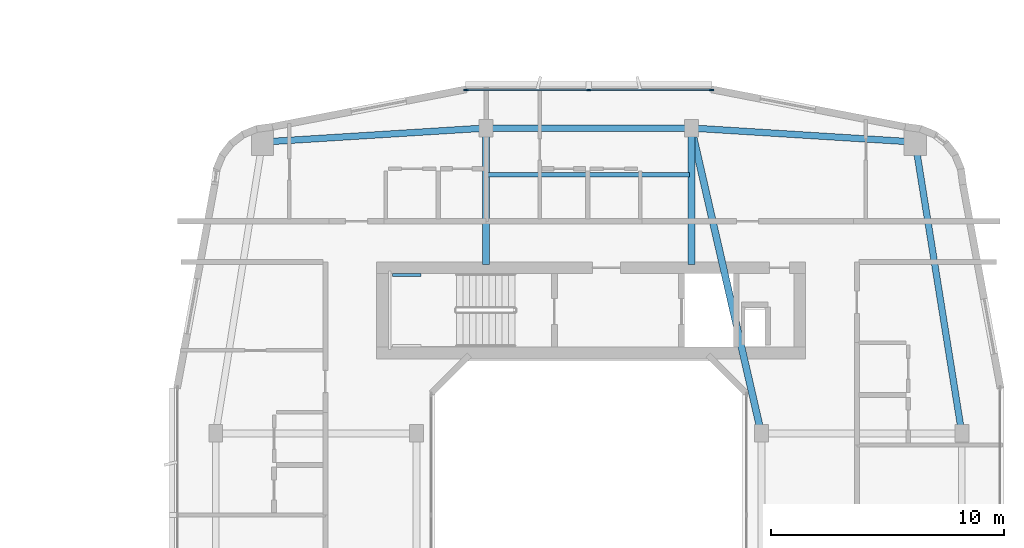
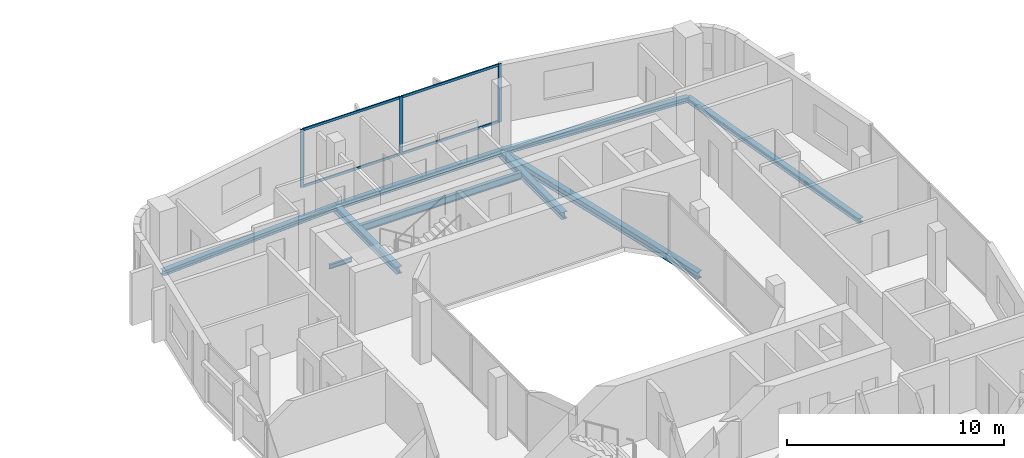
# One storey, part 10 of 25: 9 beams, 7 members, 1 element without a shape of its own.
"""IFC4 building model written with IfcOpenShell, lengths in metres."""

from ifc_helpers import new_model, si_unit, derived_unit, direction, frame, origin, origin_2d, place, context, subcontext, project, spatial, rectangle, i_section, extrude, material, layer, layer_set, material_profile, profile_set, type_object, element, aggregate, save


model = new_model("IFC4")

# Units and contexts
model_context = context("Model", 3, precision=1e-05, world=origin(), true_north=direction((0.0, 1.0)))
body_context = subcontext(model_context, "Body", "Model", "MODEL_VIEW")
ifc_project = project(units=[si_unit("LENGTHUNIT", "METRE"), si_unit("AREAUNIT", "SQUARE_METRE"), si_unit("VOLUMEUNIT", "CUBIC_METRE"), si_unit("PLANEANGLEUNIT", "RADIAN"), si_unit("MASSUNIT", "GRAM", prefix="KILO"), derived_unit("THERMALTRANSMITTANCEUNIT", [(si_unit("POWERUNIT", "WATT"), 1), (si_unit("LENGTHUNIT", "METRE"), -2), (si_unit("THERMODYNAMICTEMPERATUREUNIT", "KELVIN"), -1)])], contexts=[model_context])

# Site, building, storey
site_placement = place(None, origin())
site = spatial("IfcSite", under=ifc_project, at=site_placement, CompositionType="ELEMENT")
building_placement = place(site_placement, origin())
building = spatial("IfcBuilding", under=site, at=building_placement, Name="Kivonza Crest Hotel", CompositionType="ELEMENT")
storey_placement = place(building_placement, frame((0.0, 0.0, 83.5)))
storey = spatial("IfcBuildingStorey", under=building, at=storey_placement, Name="L22", CompositionType="ELEMENT", Elevation=83.5)

# Beams
ifc_material_1 = material(Name="Steel S355", Category="steel")
ifc_material_profile_1 = material_profile(ifc_material_1, i_section(OverallWidth=0.280029296875, OverallDepth=0.280029296875, WebThickness=0.010498046875, FlangeThickness=0.01806640625, FilletRadius=0.02392578125, at=origin_2d()), Name="HEB 280")
ifc_profile_set_1 = profile_set([ifc_material_profile_1], Name="Steel S355")
beam_type_1 = type_object("IfcBeamType", Name="BM-HEB280", PredefinedType="SPANDREL", material=ifc_profile_set_1)
beam_1_placement = place(storey_placement, frame((93.0, 28.5, -0.389892578125), z_axis=(-0.157990501107, 0.987440631917, 0.0), x_axis=(-0.987440631917, -0.157990501107, 0.0)))
element("IfcBeam", 1, at=beam_1_placement, inside=storey, type_object=beam_type_1, Name="Companion Tower T2 L22 perimeter spandrel E2-NE", PredefinedType="SPANDREL", context=body_context, shape_type="SweptSolid", body=[
    extrude(i_section(OverallWidth=0.280029296875, OverallDepth=0.280029296875, WebThickness=0.010498046875, FlangeThickness=0.01806640625, FilletRadius=0.02392578125, at=origin_2d()), origin(), (0.0, 0.0, 1.0), 12.658935546875),
])
beam_2_placement = place(storey_placement, frame((91.0, 41.0, -0.389892578125), z_axis=(-0.998051985873, 0.062387767186, 0.0), x_axis=(-0.062387767186, -0.998051985873, 0.0)))
element("IfcBeam", 2, at=beam_2_placement, inside=storey, type_object=beam_type_1, Name="Companion Tower T2 L22 perimeter spandrel NE-N2", PredefinedType="SPANDREL", context=body_context, shape_type="SweptSolid", body=[
    extrude(i_section(OverallWidth=0.280029296875, OverallDepth=0.280029296875, WebThickness=0.010498046875, FlangeThickness=0.01806640625, FilletRadius=0.02392578125, at=origin_2d()), origin(), (0.0, 0.0, 1.0), 9.618896484375),
])
beam_3_placement = place(storey_placement, frame((81.39990234375, 41.60009765625, -0.389892578125), z_axis=(-1.0, 0.0, 0.0), x_axis=(0.0, -1.0, 0.0)))
element("IfcBeam", 3, at=beam_3_placement, inside=storey, type_object=beam_type_1, Name="Companion Tower T2 L22 perimeter spandrel N2-N1", PredefinedType="SPANDREL", context=body_context, shape_type="SweptSolid", body=[
    extrude(i_section(OverallWidth=0.280029296875, OverallDepth=0.280029296875, WebThickness=0.010498046875, FlangeThickness=0.01806640625, FilletRadius=0.02392578125, at=origin_2d()), origin(), (0.0, 0.0, 1.0), 8.7998046875),
])
beam_4_placement = place(storey_placement, frame((72.60009765625, 41.60009765625, -0.389892578125), z_axis=(-0.998051985873, -0.062387767186, 0.0), x_axis=(0.062387767186, -0.998051985873, 0.0)))
element("IfcBeam", 4, at=beam_4_placement, inside=storey, type_object=beam_type_1, Name="Companion Tower T2 L22 perimeter spandrel N1-NW", PredefinedType="SPANDREL", context=body_context, shape_type="SweptSolid", body=[
    extrude(i_section(OverallWidth=0.280029296875, OverallDepth=0.280029296875, WebThickness=0.010498046875, FlangeThickness=0.01806640625, FilletRadius=0.02392578125, at=origin_2d()), origin(), (0.0, 0.0, 1.0), 9.618896484375),
])
ifc_material_profile_2 = material_profile(ifc_material_1, i_section(OverallWidth=0.300048828125, OverallDepth=0.39990234375, WebThickness=0.013427734375, FlangeThickness=0.02392578125, FilletRadius=0.027099609375, at=origin_2d()), Name="HEB 400")
ifc_profile_set_2 = profile_set([ifc_material_profile_2], Name="Steel S355")
beam_type_2 = type_object("IfcBeamType", Name="BM-HEB400", PredefinedType="BEAM", material=ifc_profile_set_2)
beam_5_placement = place(storey_placement, frame((84.39990234375, 28.5, -0.449951171875), z_axis=(-0.223227287589, 0.974766422317, 0.0), x_axis=(-0.974766422317, -0.223227287589, 0.0)))
element("IfcBeam", 5, at=beam_5_placement, inside=storey, type_object=beam_type_2, Name="Companion Tower T2 L22 girder WR2-N2", PredefinedType="BEAM", context=body_context, shape_type="SweptSolid", body=[
    extrude(i_section(OverallWidth=0.300048828125, OverallDepth=0.39990234375, WebThickness=0.013427734375, FlangeThickness=0.02392578125, FilletRadius=0.027099609375, at=origin_2d()), origin(), (0.0, 0.0, 1.0), 13.439208984375),
])
for number, where, z_axis, x_axis, name in (
    (6, (72.60009765625, 41.60009765625, -0.449951171875), (0.0, -1.0, 0.0), (1.0, 0.0, 0.0), "Companion T2 L22 radial core girder RN1"),
    (7, (81.39990234375, 41.60009765625, -0.449951171875), (0.0, -1.0, 0.0), (1.0, 0.0, 0.0), "Companion T2 L22 radial core girder RN2"),
):
    element("IfcBeam", number, at=place(storey_placement, frame(where, z_axis=z_axis, x_axis=x_axis)), inside=storey, type_object=beam_type_2, Name=name, PredefinedType="BEAM", context=body_context, shape_type="SweptSolid", body=[
        extrude(i_section(OverallWidth=0.300048828125, OverallDepth=0.39990234375, WebThickness=0.013427734375, FlangeThickness=0.02392578125, FilletRadius=0.027099609375, at=origin_2d()), origin(), (0.0, 0.0, 1.0), 5.85009765625),
    ])
ifc_material_profile_3 = material_profile(ifc_material_1, i_section(OverallWidth=0.179931640625, OverallDepth=0.39990234375, WebThickness=0.008544921875, FlangeThickness=0.013427734375, FilletRadius=0.02099609375, at=origin_2d()), Name="IPE 400")
ifc_profile_set_3 = profile_set([ifc_material_profile_3], Name="Steel S355")
beam_type_3 = type_object("IfcBeamType", Name="BM-IPE400", PredefinedType="JOIST", material=ifc_profile_set_3)
beam_6_placement = place(storey_placement, frame((72.679931640625, 39.60009765625, -0.449951171875), z_axis=(1.0, 0.0, 0.0), x_axis=(0.0, 1.0, 0.0)))
element("IfcBeam", 8, at=beam_6_placement, inside=storey, type_object=beam_type_3, Name="Companion Tower T2 L22 North floor joist", PredefinedType="JOIST", context=body_context, shape_type="SweptSolid", body=[
    extrude(i_section(OverallWidth=0.179931640625, OverallDepth=0.39990234375, WebThickness=0.008544921875, FlangeThickness=0.013427734375, FilletRadius=0.02099609375, at=origin_2d()), origin(), (0.0, 0.0, 1.0), 8.64013671875),
])
ifc_material_profile_4 = material_profile(ifc_material_1, i_section(OverallWidth=0.1201171875, OverallDepth=0.239990234375, WebThickness=0.006103515625, FlangeThickness=0.009765625, FilletRadius=0.014892578125, at=origin_2d()), Name="IPE 240")
ifc_profile_set_4 = profile_set([ifc_material_profile_4], Name="Steel S355")
beam_type_4 = type_object("IfcBeamType", Name="BM-LLDG-240", PredefinedType="BEAM", material=ifc_profile_set_4)
beam_7_placement = place(storey_placement, frame((68.590087890625, 35.300048828125, 1.429931640625), z_axis=(1.0, 0.0, 0.0), x_axis=(0.0, 1.0, 0.0)))
element("IfcBeam", 9, at=beam_7_placement, inside=storey, type_object=beam_type_4, Name="Stair ST-T2-N L22 North landing corbel", PredefinedType="BEAM", context=body_context, shape_type="SweptSolid", body=[
    extrude(i_section(OverallWidth=0.1201171875, OverallDepth=0.239990234375, WebThickness=0.006103515625, FlangeThickness=0.009765625, FilletRadius=0.014892578125, at=origin_2d()), origin(), (0.0, 0.0, 1.0), 1.2099609375),
])

# Curtain wall, members
ifc_material_2 = material(Name="Anodised bronze aluminium and low-E double glazing", Category="aluminium")
ifc_layer = layer(ifc_material_2, 0.179931640625)
ifc_layer_set = layer_set([ifc_layer], Name="Anodised bronze aluminium and low-E double glazing")
curtain_wall_type = type_object("IfcCurtainWallType", Name="CW-SYS-4", PredefinedType="NOTDEFINED", material=ifc_layer_set)
curtain_wall_placement = place(storey_placement, origin())
curtain_wall = element("IfcCurtainWall", 10, at=curtain_wall_placement, inside=storey, type_object=curtain_wall_type, Name="L22 unitised curtain wall CW-T2-L22-26", PredefinedType="NOTDEFINED")
ifc_material_3 = material(Name="Anodised bronze aluminium", Category="aluminium")
ifc_material_profile_5 = material_profile(ifc_material_3, rectangle(XDim=0.06494140625, YDim=0.179931640625, at=origin_2d()), Name="CW-M 65x180")
ifc_profile_set_5 = profile_set([ifc_material_profile_5], Name="Anodised bronze aluminium")
member_type_1 = type_object("IfcMemberType", Name="CW-MUL-65x180", PredefinedType="MULLION", material=ifc_profile_set_5)
member_1_placement = place(storey_placement, frame((82.267578125, 43.239990234375, 0.0), z_axis=(0.0, 0.0, 1.0), x_axis=(0.0, -1.0, 0.0)))
member_1 = element("IfcMember", 11, at=member_1_placement, type_object=member_type_1, Name="CW-4 mullion 1", PredefinedType="MULLION", context=body_context, shape_type="SweptSolid", body=[
    extrude(rectangle(XDim=0.06494140625, YDim=0.179931640625, at=origin_2d()), origin(), (0.0, 0.0, 1.0), 3.25),
])
member_2_placement = place(storey_placement, frame((77.0, 43.239990234375, 0.0), z_axis=(0.0, 0.0, 1.0), x_axis=(0.0, -1.0, 0.0)))
member_2 = element("IfcMember", 12, at=member_2_placement, type_object=member_type_1, Name="CW-4 mullion 2", PredefinedType="MULLION", context=body_context, shape_type="SweptSolid", body=[
    extrude(rectangle(XDim=0.06494140625, YDim=0.179931640625, at=origin_2d()), origin(), (0.0, 0.0, 1.0), 3.25),
])
member_3_placement = place(storey_placement, frame((71.732421875, 43.239990234375, 0.0), z_axis=(0.0, 0.0, 1.0), x_axis=(0.0, -1.0, 0.0)))
member_3 = element("IfcMember", 13, at=member_3_placement, type_object=member_type_1, Name="CW-4 mullion 3", PredefinedType="MULLION", context=body_context, shape_type="SweptSolid", body=[
    extrude(rectangle(XDim=0.06494140625, YDim=0.179931640625, at=origin_2d()), origin(), (0.0, 0.0, 1.0), 3.25),
])
ifc_material_profile_6 = material_profile(ifc_material_3, rectangle(XDim=0.06494140625, YDim=0.139892578125, at=origin_2d()), Name="CW-T 65x140")
ifc_profile_set_6 = profile_set([ifc_material_profile_6], Name="Anodised bronze aluminium")
member_type_2 = type_object("IfcMemberType", Name="CW-TRN-65x140", PredefinedType="USERDEFINED", material=ifc_profile_set_6)
member_4_placement = place(storey_placement, frame((82.235107421875, 43.239990234375, 0.032470703125), z_axis=(-1.0, 0.0, 0.0), x_axis=(0.0, -1.0, 0.0)))
member_4 = element("IfcMember", 14, at=member_4_placement, type_object=member_type_2, Name="CW-4 transom 1.1", ObjectType="TRANSOM", PredefinedType="USERDEFINED", context=body_context, shape_type="SweptSolid", body=[
    extrude(rectangle(XDim=0.06494140625, YDim=0.139892578125, at=origin_2d()), origin(), (0.0, 0.0, 1.0), 5.20263671875),
])
member_5_placement = place(storey_placement, frame((82.235107421875, 43.239990234375, 3.217529296875), z_axis=(-1.0, 0.0, 0.0), x_axis=(0.0, -1.0, 0.0)))
member_5 = element("IfcMember", 15, at=member_5_placement, type_object=member_type_2, Name="CW-4 transom 1.2", ObjectType="TRANSOM", PredefinedType="USERDEFINED", context=body_context, shape_type="SweptSolid", body=[
    extrude(rectangle(XDim=0.06494140625, YDim=0.139892578125, at=origin_2d()), origin(), (0.0, 0.0, 1.0), 5.20263671875),
])
member_6_placement = place(storey_placement, frame((76.967529296875, 43.239990234375, 0.032470703125), z_axis=(-1.0, 0.0, 0.0), x_axis=(0.0, -1.0, 0.0)))
member_6 = element("IfcMember", 16, at=member_6_placement, type_object=member_type_2, Name="CW-4 transom 2.1", ObjectType="TRANSOM", PredefinedType="USERDEFINED", context=body_context, shape_type="SweptSolid", body=[
    extrude(rectangle(XDim=0.06494140625, YDim=0.139892578125, at=origin_2d()), origin(), (0.0, 0.0, 1.0), 5.20263671875),
])
member_7_placement = place(storey_placement, frame((76.967529296875, 43.239990234375, 3.217529296875), z_axis=(-1.0, 0.0, 0.0), x_axis=(0.0, -1.0, 0.0)))
member_7 = element("IfcMember", 17, at=member_7_placement, type_object=member_type_2, Name="CW-4 transom 2.2", ObjectType="TRANSOM", PredefinedType="USERDEFINED", context=body_context, shape_type="SweptSolid", body=[
    extrude(rectangle(XDim=0.06494140625, YDim=0.139892578125, at=origin_2d()), origin(), (0.0, 0.0, 1.0), 5.20263671875),
])
aggregate(curtain_wall, [member_1, member_2, member_3, member_4, member_5, member_6, member_7])

save(model, "model.ifc")
